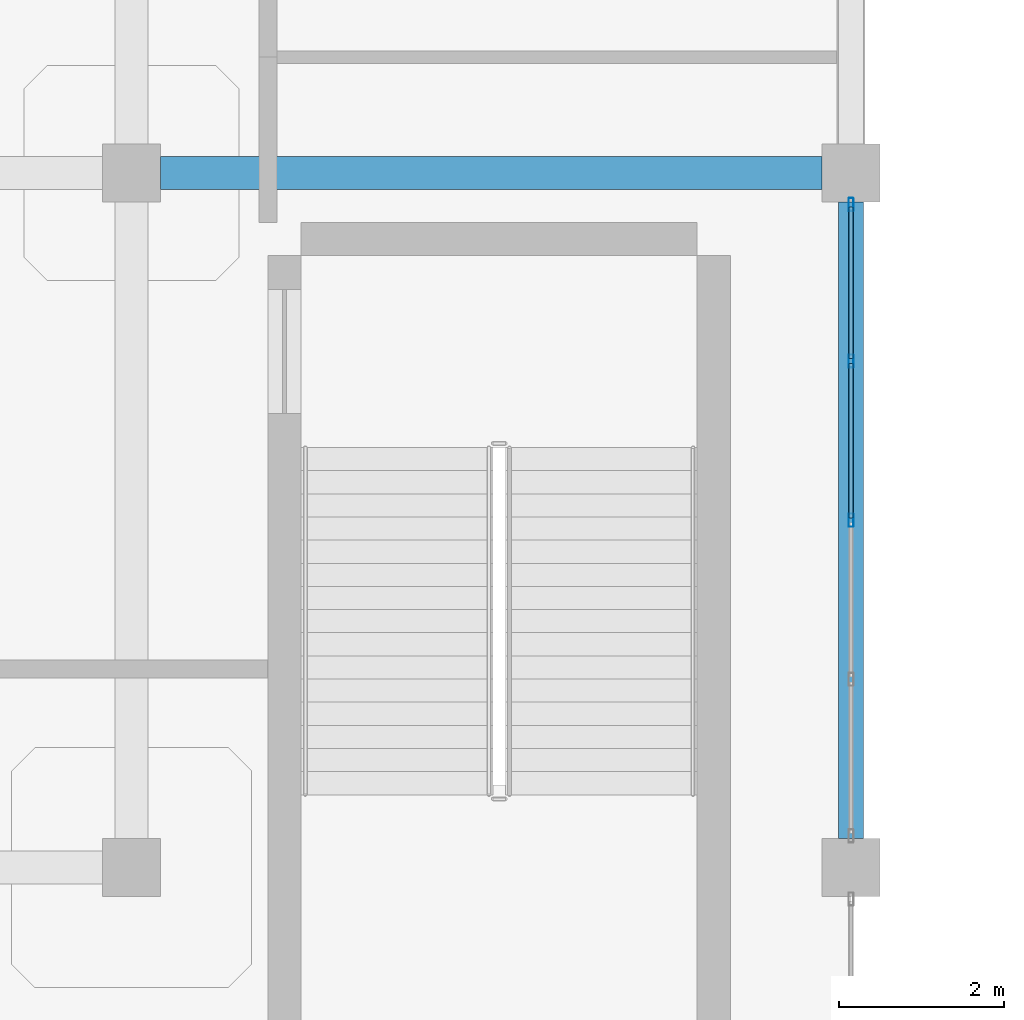
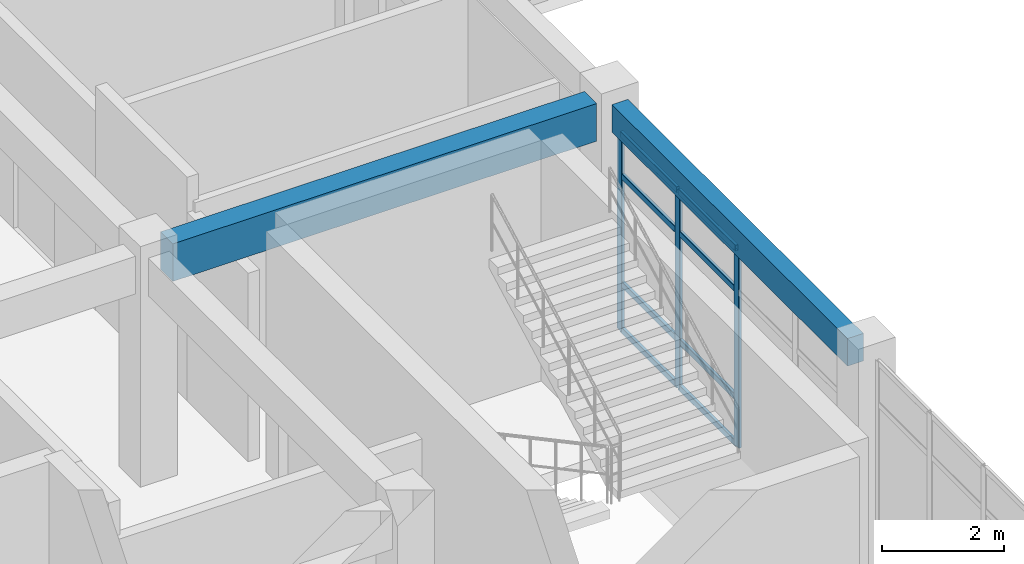
# One storey, part 26 of 64: 11 members, 2 beams, 1 element without a shape of its own.
"""IFC4 building model written with IfcOpenShell, lengths in metres."""

from ifc_helpers import new_model, si_unit, derived_unit, direction, frame, origin, origin_2d, place, context, subcontext, project, spatial, rectangle, hollow_rectangle, extrude, material, layer, layer_set, material_profile, profile_set, type_object, element, aggregate, save


model = new_model("IFC4")

# Units and contexts
model_context = context("Model", 3, precision=1e-05, world=origin(), true_north=direction((0.0, 1.0)))
body_context = subcontext(model_context, "Body", "Model", "MODEL_VIEW")
ifc_project = project(units=[si_unit("LENGTHUNIT", "METRE"), si_unit("AREAUNIT", "SQUARE_METRE"), si_unit("VOLUMEUNIT", "CUBIC_METRE"), si_unit("PLANEANGLEUNIT", "RADIAN"), si_unit("MASSUNIT", "GRAM", prefix="KILO"), derived_unit("THERMALTRANSMITTANCEUNIT", [(si_unit("MASSUNIT", "GRAM", prefix="KILO"), 1), (si_unit("TIMEUNIT", "SECOND"), -3), (si_unit("THERMODYNAMICTEMPERATUREUNIT", "KELVIN"), -1)])], contexts=[model_context])

# Site, building, storey
site_placement = place(None, origin())
site = spatial("IfcSite", under=ifc_project, at=site_placement, CompositionType="ELEMENT")
building_placement = place(site_placement, origin())
building = spatial("IfcBuilding", under=site, at=building_placement, Name="Qinzheling Arcade Emporium", CompositionType="ELEMENT")
storey_placement = place(building_placement, frame((0.0, 0.0, 31.5)))
storey = spatial("IfcBuildingStorey", under=building, at=storey_placement, Name="L07", CompositionType="ELEMENT", Elevation=31.5)

# Curtain wall, members
ifc_material_1 = material(Name="Anodised aluminium and solar-control double glazing", Category="aluminium")
ifc_layer = layer(ifc_material_1, 0.159912109375, Name="Anodised aluminium and solar-control double glazing", Category="aluminium")
ifc_layer_set = layer_set([ifc_layer], Name="Anodised aluminium and solar-control double glazing")
curtain_wall_type = type_object("IfcCurtainWallType", Name="Arcade Portal Glazed Curtain Wall", PredefinedType="NOTDEFINED", material=ifc_layer_set)
curtain_wall_placement = place(storey_placement, origin())
curtain_wall = element("IfcCurtainWall", 1, at=curtain_wall_placement, inside=storey, type_object=curtain_wall_type, Name="Curtain Wall CW-L07-431", PredefinedType="NOTDEFINED")
ifc_material_2 = material(Name="Anodised aluminium 6063-T6", Category="aluminium")
ifc_material_profile_1 = material_profile(ifc_material_2, hollow_rectangle(XDim=0.06005859375, YDim=0.159912109375, WallThickness=0.00390625, InnerFilletRadius=0.00390625, OuterFilletRadius=0.008056640625, at=origin_2d()), Name="RHS 160x60x4", Category="aluminium")
ifc_profile_set_1 = profile_set([ifc_material_profile_1], Name="Anodised aluminium 6063-T6")
member_type_1 = type_object("IfcMemberType", Name="Curtain Wall Mullion RHS160x60", PredefinedType="MULLION", material=ifc_profile_set_1)
member_1_placement = place(storey_placement, frame((69.60009765625, 33.218017578125, 0.0), z_axis=(0.0, 0.0, 1.0), x_axis=(1.0, 0.0, 0.0)))
member_1 = element("IfcMember", 2, at=member_1_placement, type_object=member_type_1, Name="CW05 mullion 1", PredefinedType="MULLION", context=body_context, shape_type="SweptSolid", body=[
    extrude(hollow_rectangle(XDim=0.06005859375, YDim=0.159912109375, WallThickness=0.00390625, InnerFilletRadius=0.00390625, OuterFilletRadius=0.008056640625, at=origin_2d()), origin(), (0.0, 0.0, 1.0), 3.955078125),
])
member_2_placement = place(storey_placement, frame((69.60009765625, 31.323974609375, 0.0), z_axis=(0.0, 0.0, 1.0), x_axis=(1.0, 0.0, 0.0)))
member_2 = element("IfcMember", 3, at=member_2_placement, type_object=member_type_1, Name="CW05 mullion 2", PredefinedType="MULLION", context=body_context, shape_type="SweptSolid", body=[
    extrude(hollow_rectangle(XDim=0.06005859375, YDim=0.159912109375, WallThickness=0.00390625, InnerFilletRadius=0.00390625, OuterFilletRadius=0.008056640625, at=origin_2d()), origin(), (0.0, 0.0, 1.0), 3.955078125),
])
member_3_placement = place(storey_placement, frame((69.60009765625, 29.39990234375, 0.0), z_axis=(0.0, 0.0, 1.0), x_axis=(1.0, 0.0, 0.0)))
member_3 = element("IfcMember", 4, at=member_3_placement, type_object=member_type_1, Name="CW05 mullion 3", PredefinedType="MULLION", context=body_context, shape_type="SweptSolid", body=[
    extrude(hollow_rectangle(XDim=0.06005859375, YDim=0.159912109375, WallThickness=0.00390625, InnerFilletRadius=0.00390625, OuterFilletRadius=0.008056640625, at=origin_2d()), origin(), (0.0, 0.0, 1.0), 3.955078125),
])
ifc_material_profile_2 = material_profile(ifc_material_2, hollow_rectangle(XDim=0.06005859375, YDim=0.1201171875, WallThickness=0.00390625, InnerFilletRadius=0.00390625, OuterFilletRadius=0.008056640625, at=origin_2d()), Name="RHS 120x60x4", Category="aluminium")
ifc_profile_set_2 = profile_set([ifc_material_profile_2], Name="Anodised aluminium 6063-T6")
member_type_2 = type_object("IfcMemberType", Name="Curtain Wall Transom RHS120x60", PredefinedType="USERDEFINED", material=ifc_profile_set_2)
member_4_placement = place(storey_placement, frame((69.60009765625, 33.18798828125, 0.030029296875), z_axis=(0.0, -1.0, 0.0), x_axis=(1.0, 0.0, 0.0)))
member_4 = element("IfcMember", 5, at=member_4_placement, type_object=member_type_2, Name="CW05 transom 1.1", ObjectType="TRANSOM", PredefinedType="USERDEFINED", context=body_context, shape_type="SweptSolid", body=[
    extrude(hollow_rectangle(XDim=0.06005859375, YDim=0.1201171875, WallThickness=0.00390625, InnerFilletRadius=0.00390625, OuterFilletRadius=0.008056640625, at=origin_2d()), origin(), (0.0, 0.0, 1.0), 1.833984375),
])
member_5_placement = place(storey_placement, frame((69.60009765625, 33.18798828125, 0.949951171875), z_axis=(0.0, -1.0, 0.0), x_axis=(1.0, 0.0, 0.0)))
member_5 = element("IfcMember", 6, at=member_5_placement, type_object=member_type_2, Name="CW05 transom 1.2", ObjectType="TRANSOM", PredefinedType="USERDEFINED", context=body_context, shape_type="SweptSolid", body=[
    extrude(hollow_rectangle(XDim=0.06005859375, YDim=0.1201171875, WallThickness=0.00390625, InnerFilletRadius=0.00390625, OuterFilletRadius=0.008056640625, at=origin_2d()), origin(), (0.0, 0.0, 1.0), 1.833984375),
])
member_6_placement = place(storey_placement, frame((69.60009765625, 33.18798828125, 3.10498046875), z_axis=(0.0, -1.0, 0.0), x_axis=(1.0, 0.0, 0.0)))
member_6 = element("IfcMember", 7, at=member_6_placement, type_object=member_type_2, Name="CW05 transom 1.3", ObjectType="TRANSOM", PredefinedType="USERDEFINED", context=body_context, shape_type="SweptSolid", body=[
    extrude(hollow_rectangle(XDim=0.06005859375, YDim=0.1201171875, WallThickness=0.00390625, InnerFilletRadius=0.00390625, OuterFilletRadius=0.008056640625, at=origin_2d()), origin(), (0.0, 0.0, 1.0), 1.833984375),
])
member_7_placement = place(storey_placement, frame((69.60009765625, 33.18798828125, 3.925048828125), z_axis=(0.0, -1.0, 0.0), x_axis=(1.0, 0.0, 0.0)))
member_7 = element("IfcMember", 8, at=member_7_placement, type_object=member_type_2, Name="CW05 transom 1.4", ObjectType="TRANSOM", PredefinedType="USERDEFINED", context=body_context, shape_type="SweptSolid", body=[
    extrude(hollow_rectangle(XDim=0.06005859375, YDim=0.1201171875, WallThickness=0.00390625, InnerFilletRadius=0.00390625, OuterFilletRadius=0.008056640625, at=origin_2d()), origin(), (0.0, 0.0, 1.0), 1.833984375),
])
member_8_placement = place(storey_placement, frame((69.60009765625, 31.2939453125, 0.030029296875), z_axis=(0.0, -1.0, 0.0), x_axis=(1.0, 0.0, 0.0)))
member_8 = element("IfcMember", 9, at=member_8_placement, type_object=member_type_2, Name="CW05 transom 2.1", ObjectType="TRANSOM", PredefinedType="USERDEFINED", context=body_context, shape_type="SweptSolid", body=[
    extrude(hollow_rectangle(XDim=0.06005859375, YDim=0.1201171875, WallThickness=0.00390625, InnerFilletRadius=0.00390625, OuterFilletRadius=0.008056640625, at=origin_2d()), origin(), (0.0, 0.0, 1.0), 1.864013671875),
])
member_9_placement = place(storey_placement, frame((69.60009765625, 31.2939453125, 0.949951171875), z_axis=(0.0, -1.0, 0.0), x_axis=(1.0, 0.0, 0.0)))
member_9 = element("IfcMember", 10, at=member_9_placement, type_object=member_type_2, Name="CW05 transom 2.2", ObjectType="TRANSOM", PredefinedType="USERDEFINED", context=body_context, shape_type="SweptSolid", body=[
    extrude(hollow_rectangle(XDim=0.06005859375, YDim=0.1201171875, WallThickness=0.00390625, InnerFilletRadius=0.00390625, OuterFilletRadius=0.008056640625, at=origin_2d()), origin(), (0.0, 0.0, 1.0), 1.864013671875),
])
member_10_placement = place(storey_placement, frame((69.60009765625, 31.2939453125, 3.10498046875), z_axis=(0.0, -1.0, 0.0), x_axis=(1.0, 0.0, 0.0)))
member_10 = element("IfcMember", 11, at=member_10_placement, type_object=member_type_2, Name="CW05 transom 2.3", ObjectType="TRANSOM", PredefinedType="USERDEFINED", context=body_context, shape_type="SweptSolid", body=[
    extrude(hollow_rectangle(XDim=0.06005859375, YDim=0.1201171875, WallThickness=0.00390625, InnerFilletRadius=0.00390625, OuterFilletRadius=0.008056640625, at=origin_2d()), origin(), (0.0, 0.0, 1.0), 1.864013671875),
])
member_11_placement = place(storey_placement, frame((69.60009765625, 31.2939453125, 3.925048828125), z_axis=(0.0, -1.0, 0.0), x_axis=(1.0, 0.0, 0.0)))
member_11 = element("IfcMember", 12, at=member_11_placement, type_object=member_type_2, Name="CW05 transom 2.4", ObjectType="TRANSOM", PredefinedType="USERDEFINED", context=body_context, shape_type="SweptSolid", body=[
    extrude(hollow_rectangle(XDim=0.06005859375, YDim=0.1201171875, WallThickness=0.00390625, InnerFilletRadius=0.00390625, OuterFilletRadius=0.008056640625, at=origin_2d()), origin(), (0.0, 0.0, 1.0), 1.864013671875),
])
aggregate(curtain_wall, [member_1, member_2, member_3, member_4, member_5, member_6, member_7, member_8, member_9, member_10, member_11])

# Beams
ifc_material_3 = material(Name="Concrete C40", Category="concrete")
ifc_material_profile_3 = material_profile(ifc_material_3, rectangle(XDim=0.39990234375, YDim=0.75, at=origin_2d()), Name="RC 400x750", Category="concrete")
ifc_profile_set_3 = profile_set([ifc_material_profile_3], Name="Concrete C40")
beam_type_1 = type_object("IfcBeamType", Name="RC Interior Tie Beam 400x750 C40", PredefinedType="BEAM", material=ifc_profile_set_3)
beam_1_placement = place(storey_placement, frame((61.25, 33.60009765625, 4.14501953125), z_axis=(1.0, 0.0, 0.0), x_axis=(0.0, 1.0, 0.0)))
element("IfcBeam", 13, at=beam_1_placement, inside=storey, type_object=beam_type_1, Name="Beam BM-L07-X-E-8", PredefinedType="BEAM", context=body_context, shape_type="SweptSolid", body=[
    extrude(rectangle(XDim=0.39990234375, YDim=0.75, at=origin_2d()), origin(), (0.0, 0.0, 1.0), 8.0),
])
ifc_material_profile_4 = material_profile(ifc_material_3, rectangle(XDim=0.300048828125, YDim=0.550048828125, at=origin_2d()), Name="RC 300x550", Category="concrete")
ifc_profile_set_4 = profile_set([ifc_material_profile_4], Name="Concrete C40")
beam_type_2 = type_object("IfcBeamType", Name="RC Terrace Spandrel Beam 300x550 C40", PredefinedType="SPANDREL", material=ifc_profile_set_4)
beam_2_placement = place(storey_placement, frame((69.60009765625, 25.550048828125, 4.2451171875), z_axis=(0.0, 1.0, 0.0), x_axis=(-1.0, 0.0, 0.0)))
element("IfcBeam", 14, at=beam_2_placement, inside=storey, type_object=beam_type_2, Name="Beam BM-L07-Y-9-D", PredefinedType="SPANDREL", context=body_context, shape_type="SweptSolid", body=[
    extrude(rectangle(XDim=0.300048828125, YDim=0.550048828125, at=origin_2d()), origin(), (0.0, 0.0, 1.0), 7.699951171875),
])

save(model, "model.ifc")
